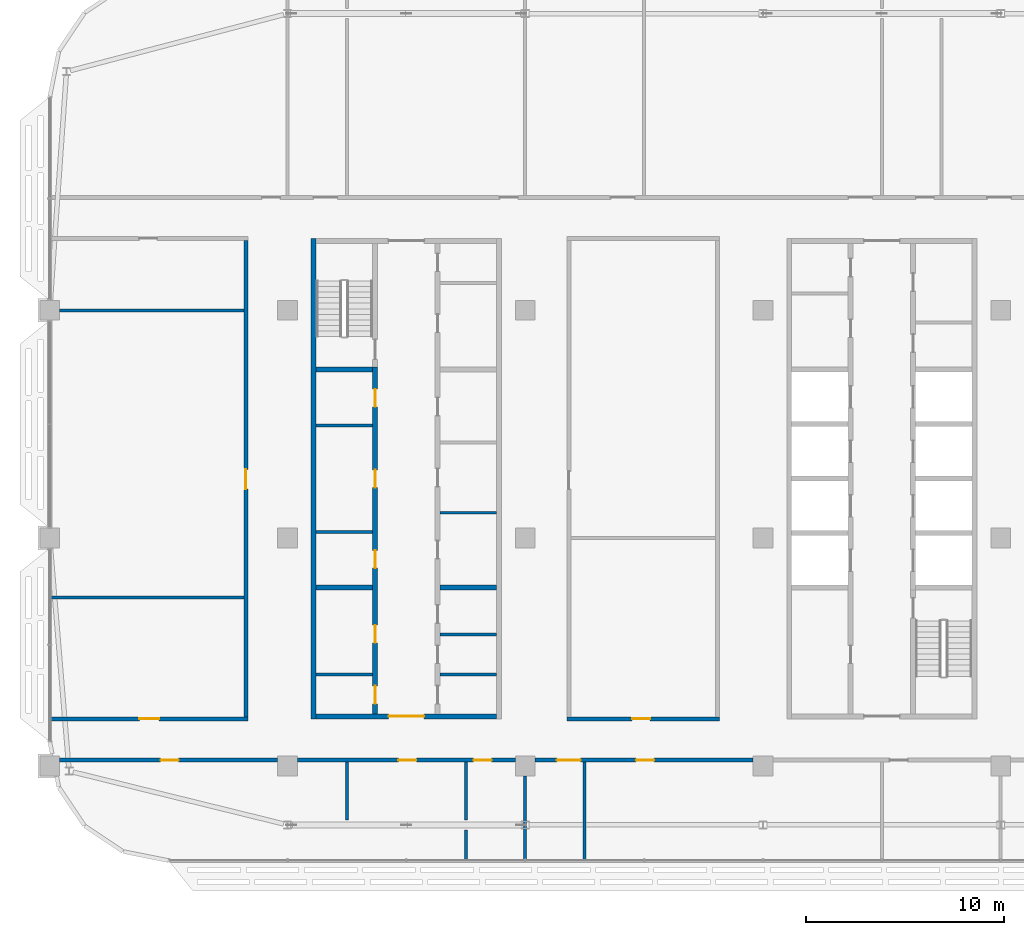
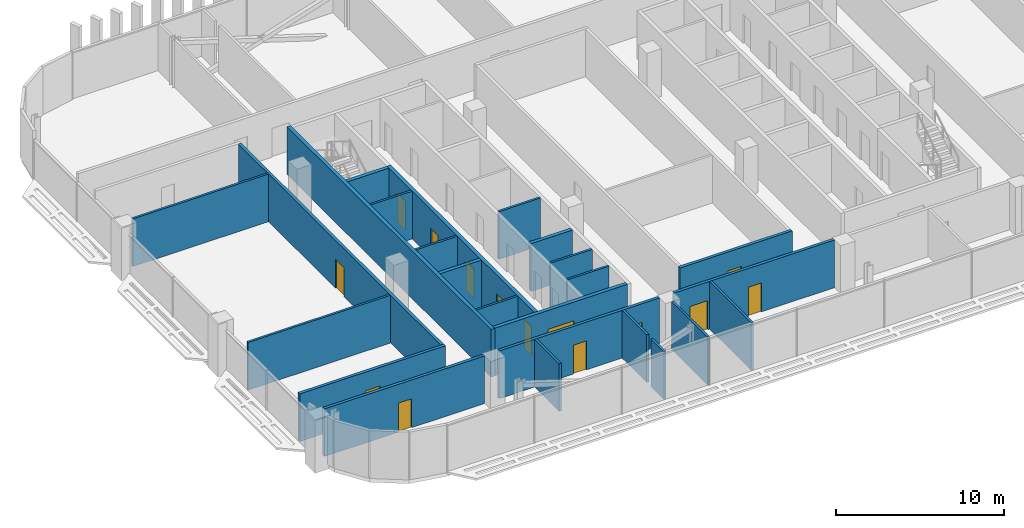
# One storey, part 17 of 32: 25 walls, 14 doors, 14 openings.
"""IFC4 building model written with IfcOpenShell, lengths in metres."""

from ifc_helpers import new_model, si_unit, direction, frame, frame_2d, origin, place, context, subcontext, project, spatial, rectangle, extrude, material, layer, layer_set, type_object, element, fill, save


model = new_model("IFC4")

# Units and contexts
model_context = context("Model", 3, precision=1e-05, world=origin(), true_north=direction((0.0, 1.0)))
body_context = subcontext(model_context, "Body", "Model", "MODEL_VIEW")
ifc_project = project(units=[si_unit("LENGTHUNIT", "METRE"), si_unit("AREAUNIT", "SQUARE_METRE"), si_unit("VOLUMEUNIT", "CUBIC_METRE"), si_unit("PLANEANGLEUNIT", "RADIAN"), si_unit("MASSUNIT", "GRAM", prefix="KILO")], contexts=[model_context])

# Site, building, storey
site_placement = place(None, origin())
site = spatial("IfcSite", under=ifc_project, at=site_placement, CompositionType="ELEMENT")
building_placement = place(site_placement, origin())
building = spatial("IfcBuilding", under=site, at=building_placement, Name="Mahtab Terrace Research Tower", CompositionType="ELEMENT")
storey_placement = place(building_placement, frame((0.0, 0.0, 236.199951171875)))
storey = spatial("IfcBuildingStorey", under=building, at=storey_placement, Name="L57", CompositionType="ELEMENT", Elevation=236.199951171875)

# Walls
ifc_material_1 = material(Name="Gypsum board partition")
ifc_layer_1 = layer(ifc_material_1, 0.14990234375)
ifc_layer_set_1 = layer_set([ifc_layer_1], Name="Core partition 150")
wall_type_1 = type_object("IfcWallType", Name="Core partition 150", PredefinedType="PARTITIONING", material=ifc_layer_set_1)
for number, where, z_axis, x_axis, name in (
    (1, (-28.550048828125, 0.3125, 0.0), (0.0, 0.0, 1.0), (1.0, 0.0, 0.0), "Core wall A pWL-269"),
    (2, (-28.550048828125, 5.6875, 0.0), (0.0, 0.0, 1.0), (1.0, 0.0, 0.0), "Core wall A pWL269"),
    (3, (-22.300048828125, 1.280029296875, 0.0), (0.0, 0.0, 1.0), (1.0, 0.0, 0.0), "Core wall A pEL-172"),
    (4, (-28.550048828125, -6.875, 0.0), (0.0, 0.0, 1.0), (1.0, 0.0, 0.0), "Core wall A pWS-988"),
    (5, (-22.300048828125, -6.875, 0.0), (0.0, 0.0, 1.0), (1.0, 0.0, 0.0), "Core wall A pES-988"),
    (6, (-22.300048828125, -4.875, 0.0), (0.0, 0.0, 1.0), (1.0, 0.0, 0.0), "Core wall A pES-788"),
):
    element("IfcWall", number, at=place(storey_placement, frame(where, z_axis=z_axis, x_axis=x_axis)), inside=storey, type_object=wall_type_1, Name=name, PredefinedType="PARTITIONING", context=body_context, shape_type="SweptSolid", body=[
        extrude(rectangle(XDim=2.85009765625, YDim=0.14990234375, at=frame_2d((1.425048828125, 0.0))), origin(), (0.0, 0.0, 1.0), 3.4599609375),
    ])
ifc_material_2 = material(Name="Concrete C70/85", Category="concrete")
ifc_layer_2 = layer(ifc_material_2, 0.25)
ifc_layer_set_2 = layer_set([ifc_layer_2], Name="Core wall 250")
wall_type_2 = type_object("IfcWallType", Name="Core wall 250", PredefinedType="SOLIDWALL", material=ifc_layer_set_2)
wall_1_placement = place(storey_placement, frame((-28.675048828125, 15.125, 0.0), z_axis=(0.0, 0.0, 1.0), x_axis=(0.0, -1.0, 0.0)))
element("IfcWall", 7, at=wall_1_placement, inside=storey, type_object=wall_type_2, Name="Core wall A outerW", PredefinedType="SOLIDWALL", context=body_context, shape_type="SweptSolid", body=[
    extrude(rectangle(XDim=24.25, YDim=0.25, at=frame_2d((12.125, 0.0))), origin(), (0.0, 0.0, 1.0), 3.4599609375),
])

# Wall, opening, door
wall_2_placement = place(storey_placement, frame((-19.449951171875, -9.0, 0.0), z_axis=(0.0, 0.0, 1.0), x_axis=(-1.0, 0.0, 0.0)))
wall_2 = element("IfcWall", 8, at=wall_2_placement, inside=storey, type_object=wall_type_2, Name="Core wall A endS", PredefinedType="SOLIDWALL", context=body_context, shape_type="SweptSolid", body=[
    extrude(rectangle(XDim=9.10009765625, YDim=0.25, at=frame_2d((4.550048828125, 0.0))), origin(), (0.0, 0.0, 1.0), 3.4599609375),
])
opening_1_placement = place(wall_2_placement, frame((3.64990234375, 0.0, 0.0)))
opening_1 = element("IfcOpeningElement", 9, at=opening_1_placement, cuts=wall_2, Name="Opening A-S1", PredefinedType="OPENING", context=body_context, shape_type="SweptSolid", body=[
    extrude(rectangle(XDim=1.800048828125, YDim=2.10009765625, at=frame_2d((0.89990234375, 1.050048828125))), frame((0.0, 0.135009765625, 0.0), z_axis=(0.0, -1.0, 0.0), x_axis=(1.0, 0.0, 0.0)), (0.0, 0.0, 1.0), 0.27001953125),
])
ifc_material_3 = material(Name="Steel fire door", Category="steel")
door_type_1 = type_object("IfcDoorType", Name="Lobby double door 1800x2100 1 HR", OperationType="DOUBLE_DOOR_SINGLE_SWING", PredefinedType="DOOR", material=ifc_material_3)
door_1_placement = place(opening_1_placement, origin())
door_1 = element("IfcDoor", 10, at=door_1_placement, inside=storey, type_object=door_type_1, Name="Core entrance door A S", OperationType="DOUBLE_DOOR_SINGLE_SWING", OverallHeight=2.10009765625, OverallWidth=1.800048828125, PredefinedType="DOOR", context=body_context, shape_type="SweptSolid", body=[
    extrude(rectangle(XDim=1.800048828125, YDim=2.10009765625, at=frame_2d((0.89990234375, 1.050048828125))), frame((0.0, 0.02490234375, 0.0), z_axis=(0.0, -1.0, 0.0), x_axis=(1.0, 0.0, 0.0)), (0.0, 0.0, 1.0), 0.050048828125),
])
fill(opening_1, door_1)

# Wall, openings, doors
wall_3_placement = place(storey_placement, frame((-25.574951171875, -8.875, 0.0), z_axis=(0.0, 0.0, 1.0), x_axis=(0.0, 1.0, 0.0)))
wall_3 = element("IfcWall", 11, at=wall_3_placement, inside=storey, type_object=wall_type_2, Name="Core wall A innerWSL", PredefinedType="SOLIDWALL", context=body_context, shape_type="SweptSolid", body=[
    extrude(rectangle(XDim=17.5, YDim=0.25, at=frame_2d((8.75, 0.0))), origin(), (0.0, 0.0, 1.0), 3.4599609375),
])
opening_2_placement = place(wall_3_placement, frame((7.356201171875, 0.0, 0.0)))
opening_2 = element("IfcOpeningElement", 12, at=opening_2_placement, cuts=wall_3, Name="Opening A-R1", PredefinedType="OPENING", context=body_context, shape_type="SweptSolid", body=[
    extrude(rectangle(XDim=0.89990234375, YDim=2.10009765625, at=frame_2d((0.449951171875, 1.050048828125))), frame((0.0, 0.135009765625, 0.0), z_axis=(0.0, -1.0, 0.0), x_axis=(1.0, 0.0, 0.0)), (0.0, 0.0, 1.0), 0.27001953125),
])
opening_3_placement = place(wall_3_placement, frame((11.425048828125, 0.0, 0.0)))
opening_3 = element("IfcOpeningElement", 13, at=opening_3_placement, cuts=wall_3, Name="Opening A-R2", PredefinedType="OPENING", context=body_context, shape_type="SweptSolid", body=[
    extrude(rectangle(XDim=0.89990234375, YDim=2.10009765625, at=frame_2d((0.449951171875, 1.050048828125))), frame((0.0, 0.135009765625, 0.0), z_axis=(0.0, -1.0, 0.0), x_axis=(1.0, 0.0, 0.0)), (0.0, 0.0, 1.0), 0.27001953125),
])
opening_4_placement = place(wall_3_placement, frame((15.493896484375, 0.0, 0.0)))
opening_4 = element("IfcOpeningElement", 14, at=opening_4_placement, cuts=wall_3, Name="Opening A-R3", PredefinedType="OPENING", context=body_context, shape_type="SweptSolid", body=[
    extrude(rectangle(XDim=0.89990234375, YDim=2.10009765625, at=frame_2d((0.449951171875, 1.050048828125))), frame((0.0, 0.135009765625, 0.0), z_axis=(0.0, -1.0, 0.0), x_axis=(1.0, 0.0, 0.0)), (0.0, 0.0, 1.0), 0.27001953125),
])
opening_5_placement = place(wall_3_placement, frame((0.512451171875, 0.0, 0.0)))
opening_5 = element("IfcOpeningElement", 15, at=opening_5_placement, cuts=wall_3, Name="Opening A-R7", PredefinedType="OPENING", context=body_context, shape_type="SweptSolid", body=[
    extrude(rectangle(XDim=0.89990234375, YDim=2.10009765625, at=frame_2d((0.449951171875, 1.050048828125))), frame((0.0, 0.135009765625, 0.0), z_axis=(0.0, -1.0, 0.0), x_axis=(1.0, 0.0, 0.0)), (0.0, 0.0, 1.0), 0.27001953125),
])
opening_6_placement = place(wall_3_placement, frame((3.58740234375, 0.0, 0.0)))
opening_6 = element("IfcOpeningElement", 16, at=opening_6_placement, cuts=wall_3, Name="Opening A-R8", PredefinedType="OPENING", context=body_context, shape_type="SweptSolid", body=[
    extrude(rectangle(XDim=0.89990234375, YDim=2.10009765625, at=frame_2d((0.449951171875, 1.050048828125))), frame((0.0, 0.135009765625, 0.0), z_axis=(0.0, -1.0, 0.0), x_axis=(1.0, 0.0, 0.0)), (0.0, 0.0, 1.0), 0.27001953125),
])
door_type_2 = type_object("IfcDoorType", Name="Room door 900x2100 1 HR", OperationType="NOTDEFINED", PredefinedType="DOOR", material=ifc_material_3)
door_2_placement = place(opening_2_placement, origin())
door_2 = element("IfcDoor", 17, at=door_2_placement, inside=storey, type_object=door_type_2, Name="Comms room door", OperationType="SINGLE_SWING_LEFT", OverallHeight=2.10009765625, OverallWidth=0.89990234375, PredefinedType="DOOR", context=body_context, shape_type="SweptSolid", body=[
    extrude(rectangle(XDim=0.89990234375, YDim=2.10009765625, at=frame_2d((0.449951171875, 1.050048828125))), frame((0.0, 0.02490234375, 0.0), z_axis=(0.0, -1.0, 0.0), x_axis=(1.0, 0.0, 0.0)), (0.0, 0.0, 1.0), 0.050048828125),
])
fill(opening_2, door_2)
door_3_placement = place(opening_3_placement, origin())
door_3 = element("IfcDoor", 18, at=door_3_placement, inside=storey, type_object=door_type_2, Name="Meeting alcove door", OperationType="SINGLE_SWING_RIGHT", OverallHeight=2.10009765625, OverallWidth=0.89990234375, PredefinedType="DOOR", context=body_context, shape_type="SweptSolid", body=[
    extrude(rectangle(XDim=0.89990234375, YDim=2.10009765625, at=frame_2d((0.449951171875, 1.050048828125))), frame((0.0, 0.02490234375, 0.0), z_axis=(0.0, -1.0, 0.0), x_axis=(1.0, 0.0, 0.0)), (0.0, 0.0, 1.0), 0.050048828125),
])
fill(opening_3, door_3)
door_4_placement = place(opening_4_placement, origin())
door_4 = element("IfcDoor", 19, at=door_4_placement, inside=storey, type_object=door_type_2, Name="Linen store door", OperationType="SINGLE_SWING_LEFT", OverallHeight=2.10009765625, OverallWidth=0.89990234375, PredefinedType="DOOR", context=body_context, shape_type="SweptSolid", body=[
    extrude(rectangle(XDim=0.89990234375, YDim=2.10009765625, at=frame_2d((0.449951171875, 1.050048828125))), frame((0.0, 0.02490234375, 0.0), z_axis=(0.0, -1.0, 0.0), x_axis=(1.0, 0.0, 0.0)), (0.0, 0.0, 1.0), 0.050048828125),
])
fill(opening_4, door_4)
door_5_placement = place(opening_5_placement, origin())
door_5 = element("IfcDoor", 20, at=door_5_placement, inside=storey, type_object=door_type_2, Name="Accessible WC door", OperationType="SINGLE_SWING_LEFT", OverallHeight=2.10009765625, OverallWidth=0.89990234375, PredefinedType="DOOR", context=body_context, shape_type="SweptSolid", body=[
    extrude(rectangle(XDim=0.89990234375, YDim=2.10009765625, at=frame_2d((0.449951171875, 1.050048828125))), frame((0.0, 0.02490234375, 0.0), z_axis=(0.0, -1.0, 0.0), x_axis=(1.0, 0.0, 0.0)), (0.0, 0.0, 1.0), 0.050048828125),
])
fill(opening_5, door_5)
door_6_placement = place(opening_6_placement, origin())
door_6 = element("IfcDoor", 21, at=door_6_placement, inside=storey, type_object=door_type_2, Name="WC block door", OperationType="SINGLE_SWING_RIGHT", OverallHeight=2.10009765625, OverallWidth=0.89990234375, PredefinedType="DOOR", context=body_context, shape_type="SweptSolid", body=[
    extrude(rectangle(XDim=0.89990234375, YDim=2.10009765625, at=frame_2d((0.449951171875, 1.050048828125))), frame((0.0, 0.02490234375, 0.0), z_axis=(0.0, -1.0, 0.0), x_axis=(1.0, 0.0, 0.0)), (0.0, 0.0, 1.0), 0.050048828125),
])
fill(opening_6, door_6)

# Walls
for number, where, z_axis, x_axis, name in (
    (22, (-28.550048828125, -2.5, 0.0), (0.0, 0.0, 1.0), (1.0, 0.0, 0.0), "Core wall A divW0"),
    (23, (-28.550048828125, 8.5, 0.0), (0.0, 0.0, 1.0), (1.0, 0.0, 0.0), "Core wall A divW4"),
    (24, (-22.300048828125, -2.5, 0.0), (0.0, 0.0, 1.0), (1.0, 0.0, 0.0), "Core wall A divE0"),
):
    element("IfcWall", number, at=place(storey_placement, frame(where, z_axis=z_axis, x_axis=x_axis)), inside=storey, type_object=wall_type_2, Name=name, PredefinedType="SOLIDWALL", context=body_context, shape_type="SweptSolid", body=[
        extrude(rectangle(XDim=2.85009765625, YDim=0.25, at=frame_2d((1.425048828125, 0.0))), origin(), (0.0, 0.0, 1.0), 3.4599609375),
    ])

# Wall, opening, door
ifc_material_4 = material(Name="Gypsum board corridor wall on steel studs", Category="steel")
ifc_layer_3 = layer(ifc_material_4, 0.199951171875)
ifc_layer_set_3 = layer_set([ifc_layer_3], Name="WALL CORRIDOR 200")
wall_type_3 = type_object("IfcWallType", Name="WALL CORRIDOR 200", PredefinedType="PARTITIONING", material=ifc_layer_set_3)
wall_4_placement = place(storey_placement, frame((-41.5, -11.199951171875, 0.0), z_axis=(0.0, 0.0, 1.0), x_axis=(1.0, 0.0, 0.0)))
wall_4 = element("IfcWall", 25, at=wall_4_placement, inside=storey, type_object=wall_type_3, Name="L57-W001", PredefinedType="PARTITIONING", context=body_context, shape_type="SweptSolid", body=[
    extrude(rectangle(XDim=11.0, YDim=0.199951171875, at=frame_2d((5.5, 0.0))), origin(), (0.0, 0.0, 1.0), 3.4599609375),
])
opening_7_placement = place(wall_4_placement, frame((5.10009765625, 0.0, 0.0)))
opening_7 = element("IfcOpeningElement", 26, at=opening_7_placement, cuts=wall_4, Name="Opening L57-101", PredefinedType="OPENING", context=body_context, shape_type="SweptSolid", body=[
    extrude(rectangle(XDim=0.89990234375, YDim=2.10009765625, at=frame_2d((0.449951171875, 1.050048828125))), frame((0.0, 0.10986328125, 0.0), z_axis=(0.0, -1.0, 0.0), x_axis=(1.0, 0.0, 0.0)), (0.0, 0.0, 1.0), 0.219970703125),
])
ifc_material_5 = material(Name="Timber door leaf in steel frame", Category="steel")
door_type_3 = type_object("IfcDoorType", Name="DOOR 0900X2100 FD30S", OperationType="SINGLE_SWING_LEFT", PredefinedType="DOOR", material=ifc_material_5)
door_7_placement = place(opening_7_placement, origin())
door_7 = element("IfcDoor", 27, at=door_7_placement, inside=storey, type_object=door_type_3, Name="Door L57-101", OperationType="SINGLE_SWING_LEFT", OverallHeight=2.10009765625, OverallWidth=0.89990234375, PredefinedType="DOOR", context=body_context, shape_type="SweptSolid", body=[
    extrude(rectangle(XDim=0.89990234375, YDim=2.10009765625, at=frame_2d((0.449951171875, 1.050048828125))), frame((0.0, 0.02490234375, 0.0), z_axis=(0.0, -1.0, 0.0), x_axis=(1.0, 0.0, 0.0)), (0.0, 0.0, 1.0), 0.050048828125),
])
fill(opening_7, door_7)

# Wall, openings, doors
wall_5_placement = place(storey_placement, frame((-29.5, -11.199951171875, 0.0), z_axis=(0.0, 0.0, 1.0), x_axis=(1.0, 0.0, 0.0)))
wall_5 = element("IfcWall", 28, at=wall_5_placement, inside=storey, type_object=wall_type_3, Name="L57-W002", PredefinedType="PARTITIONING", context=body_context, shape_type="SweptSolid", body=[
    extrude(rectangle(XDim=11.0, YDim=0.199951171875, at=frame_2d((5.5, 0.0))), origin(), (0.0, 0.0, 1.0), 3.4599609375),
])
opening_8_placement = place(wall_5_placement, frame((5.10009765625, 0.0, 0.0)))
opening_8 = element("IfcOpeningElement", 29, at=opening_8_placement, cuts=wall_5, Name="Opening L57-102", PredefinedType="OPENING", context=body_context, shape_type="SweptSolid", body=[
    extrude(rectangle(XDim=0.89990234375, YDim=2.10009765625, at=frame_2d((0.449951171875, 1.050048828125))), frame((0.0, 0.10986328125, 0.0), z_axis=(0.0, -1.0, 0.0), x_axis=(1.0, 0.0, 0.0)), (0.0, 0.0, 1.0), 0.219970703125),
])
opening_9_placement = place(wall_5_placement, frame((8.89990234375, 0.0, 0.0)))
opening_9 = element("IfcOpeningElement", 30, at=opening_9_placement, cuts=wall_5, Name="Opening L57-103", PredefinedType="OPENING", context=body_context, shape_type="SweptSolid", body=[
    extrude(rectangle(XDim=0.89990234375, YDim=2.10009765625, at=frame_2d((0.449951171875, 1.050048828125))), frame((0.0, 0.10986328125, 0.0), z_axis=(0.0, -1.0, 0.0), x_axis=(1.0, 0.0, 0.0)), (0.0, 0.0, 1.0), 0.219970703125),
])
door_8_placement = place(opening_8_placement, origin())
door_8 = element("IfcDoor", 31, at=door_8_placement, inside=storey, type_object=door_type_3, Name="Door L57-102", OperationType="SINGLE_SWING_LEFT", OverallHeight=2.10009765625, OverallWidth=0.89990234375, PredefinedType="DOOR", context=body_context, shape_type="SweptSolid", body=[
    extrude(rectangle(XDim=0.89990234375, YDim=2.10009765625, at=frame_2d((0.449951171875, 1.050048828125))), frame((0.0, 0.02490234375, 0.0), z_axis=(0.0, -1.0, 0.0), x_axis=(1.0, 0.0, 0.0)), (0.0, 0.0, 1.0), 0.050048828125),
])
fill(opening_8, door_8)
door_9_placement = place(opening_9_placement, origin())
door_9 = element("IfcDoor", 32, at=door_9_placement, inside=storey, type_object=door_type_3, Name="Door L57-103", OperationType="SINGLE_SWING_LEFT", OverallHeight=2.10009765625, OverallWidth=0.89990234375, PredefinedType="DOOR", context=body_context, shape_type="SweptSolid", body=[
    extrude(rectangle(XDim=0.89990234375, YDim=2.10009765625, at=frame_2d((0.449951171875, 1.050048828125))), frame((0.0, 0.02490234375, 0.0), z_axis=(0.0, -1.0, 0.0), x_axis=(1.0, 0.0, 0.0)), (0.0, 0.0, 1.0), 0.050048828125),
])
fill(opening_9, door_9)

wall_6_placement = place(storey_placement, frame((-17.5, -11.199951171875, 0.0), z_axis=(0.0, 0.0, 1.0), x_axis=(1.0, 0.0, 0.0)))
wall_6 = element("IfcWall", 33, at=wall_6_placement, inside=storey, type_object=wall_type_3, Name="L57-W003", PredefinedType="PARTITIONING", context=body_context, shape_type="SweptSolid", body=[
    extrude(rectangle(XDim=11.0, YDim=0.199951171875, at=frame_2d((5.5, 0.0))), origin(), (0.0, 0.0, 1.0), 3.4599609375),
])
opening_10_placement = place(wall_6_placement, frame((1.10009765625, 0.0, 0.0)))
opening_10 = element("IfcOpeningElement", 34, at=opening_10_placement, cuts=wall_6, Name="Opening L57-104", PredefinedType="OPENING", context=body_context, shape_type="SweptSolid", body=[
    extrude(rectangle(XDim=1.199951171875, YDim=2.10009765625, at=frame_2d((0.60009765625, 1.050048828125))), frame((0.0, 0.10986328125, 0.0), z_axis=(0.0, -1.0, 0.0), x_axis=(1.0, 0.0, 0.0)), (0.0, 0.0, 1.0), 0.219970703125),
])
opening_11_placement = place(wall_6_placement, frame((5.10009765625, 0.0, 0.0)))
opening_11 = element("IfcOpeningElement", 35, at=opening_11_placement, cuts=wall_6, Name="Opening L57-105", PredefinedType="OPENING", context=body_context, shape_type="SweptSolid", body=[
    extrude(rectangle(XDim=0.89990234375, YDim=2.10009765625, at=frame_2d((0.449951171875, 1.050048828125))), frame((0.0, 0.10986328125, 0.0), z_axis=(0.0, -1.0, 0.0), x_axis=(1.0, 0.0, 0.0)), (0.0, 0.0, 1.0), 0.219970703125),
])
door_10_placement = place(opening_11_placement, origin())
door_10 = element("IfcDoor", 36, at=door_10_placement, inside=storey, type_object=door_type_3, Name="Door L57-105", OperationType="SINGLE_SWING_LEFT", OverallHeight=2.10009765625, OverallWidth=0.89990234375, PredefinedType="DOOR", context=body_context, shape_type="SweptSolid", body=[
    extrude(rectangle(XDim=0.89990234375, YDim=2.10009765625, at=frame_2d((0.449951171875, 1.050048828125))), frame((0.0, 0.02490234375, 0.0), z_axis=(0.0, -1.0, 0.0), x_axis=(1.0, 0.0, 0.0)), (0.0, 0.0, 1.0), 0.050048828125),
])
fill(opening_11, door_10)
door_type_4 = type_object("IfcDoorType", Name="DOOR 1200X2100 FD30S", OperationType="SINGLE_SWING_LEFT", PredefinedType="DOOR", material=ifc_material_5)
door_11_placement = place(opening_10_placement, origin())
door_11 = element("IfcDoor", 37, at=door_11_placement, inside=storey, type_object=door_type_4, Name="Door L57-104", OperationType="SINGLE_SWING_RIGHT", OverallHeight=2.10009765625, OverallWidth=1.199951171875, PredefinedType="DOOR", context=body_context, shape_type="SweptSolid", body=[
    extrude(rectangle(XDim=1.199951171875, YDim=2.10009765625, at=frame_2d((0.60009765625, 1.050048828125))), frame((0.0, 0.02490234375, 0.0), z_axis=(0.0, -1.0, 0.0), x_axis=(1.0, 0.0, 0.0)), (0.0, 0.0, 1.0), 0.050048828125),
])
fill(opening_10, door_11)

# Wall, opening, door
wall_7_placement = place(storey_placement, frame((-41.97509765625, -9.125, 0.0), z_axis=(0.0, 0.0, 1.0), x_axis=(1.0, 0.0, 0.0)))
wall_7 = element("IfcWall", 38, at=wall_7_placement, inside=storey, type_object=wall_type_3, Name="L57-W010", PredefinedType="PARTITIONING", context=body_context, shape_type="SweptSolid", body=[
    extrude(rectangle(XDim=9.97509765625, YDim=0.199951171875, at=frame_2d((4.987548828125, 0.0))), origin(), (0.0, 0.0, 1.0), 3.4599609375),
])
opening_12_placement = place(wall_7_placement, frame((4.5, 0.0, 0.0)))
opening_12 = element("IfcOpeningElement", 39, at=opening_12_placement, cuts=wall_7, Name="Opening L57-112", PredefinedType="OPENING", context=body_context, shape_type="SweptSolid", body=[
    extrude(rectangle(XDim=1.0, YDim=2.10009765625, at=frame_2d((0.5, 1.050048828125))), frame((0.0, 0.10986328125, 0.0), z_axis=(0.0, -1.0, 0.0), x_axis=(1.0, 0.0, 0.0)), (0.0, 0.0, 1.0), 0.219970703125),
])
door_type_5 = type_object("IfcDoorType", Name="DOOR 1000X2100 FD30S", OperationType="SINGLE_SWING_LEFT", PredefinedType="DOOR", material=ifc_material_5)
door_12_placement = place(opening_12_placement, origin())
door_12 = element("IfcDoor", 40, at=door_12_placement, inside=storey, type_object=door_type_5, Name="Door L57-112", OperationType="SINGLE_SWING_RIGHT", OverallHeight=2.10009765625, OverallWidth=1.0, PredefinedType="DOOR", context=body_context, shape_type="SweptSolid", body=[
    extrude(rectangle(XDim=1.0, YDim=2.10009765625, at=frame_2d((0.5, 1.050048828125))), frame((0.0, 0.02490234375, 0.0), z_axis=(0.0, -1.0, 0.0), x_axis=(1.0, 0.0, 0.0)), (0.0, 0.0, 1.0), 0.050048828125),
])
fill(opening_12, door_12)

wall_8_placement = place(storey_placement, frame((-15.89990234375, -9.125, 0.0), z_axis=(0.0, 0.0, 1.0), x_axis=(1.0, 0.0, 0.0)))
wall_8 = element("IfcWall", 41, at=wall_8_placement, inside=storey, type_object=wall_type_3, Name="L57-W011", PredefinedType="PARTITIONING", context=body_context, shape_type="SweptSolid", body=[
    extrude(rectangle(XDim=7.699951171875, YDim=0.199951171875, at=frame_2d((3.85009765625, 0.0))), origin(), (0.0, 0.0, 1.0), 3.4599609375),
])
opening_13_placement = place(wall_8_placement, frame((3.300048828125, 0.0, 0.0)))
opening_13 = element("IfcOpeningElement", 42, at=opening_13_placement, cuts=wall_8, Name="Opening L57-114", PredefinedType="OPENING", context=body_context, shape_type="SweptSolid", body=[
    extrude(rectangle(XDim=0.89990234375, YDim=2.10009765625, at=frame_2d((0.449951171875, 1.050048828125))), frame((0.0, 0.10986328125, 0.0), z_axis=(0.0, -1.0, 0.0), x_axis=(1.0, 0.0, 0.0)), (0.0, 0.0, 1.0), 0.219970703125),
])
door_13_placement = place(opening_13_placement, origin())
door_13 = element("IfcDoor", 43, at=door_13_placement, inside=storey, type_object=door_type_3, Name="Door L57-114", OperationType="SINGLE_SWING_LEFT", OverallHeight=2.10009765625, OverallWidth=0.89990234375, PredefinedType="DOOR", context=body_context, shape_type="SweptSolid", body=[
    extrude(rectangle(XDim=0.89990234375, YDim=2.10009765625, at=frame_2d((0.449951171875, 1.050048828125))), frame((0.0, 0.02490234375, 0.0), z_axis=(0.0, -1.0, 0.0), x_axis=(1.0, 0.0, 0.0)), (0.0, 0.0, 1.0), 0.050048828125),
])
fill(opening_13, door_13)

wall_9_placement = place(storey_placement, frame((-32.10009765625, -9.02490234375, 0.0), z_axis=(0.0, 0.0, 1.0), x_axis=(0.0, 1.0, 0.0)))
wall_9 = element("IfcWall", 44, at=wall_9_placement, inside=storey, type_object=wall_type_3, Name="L57-W026", PredefinedType="PARTITIONING", context=body_context, shape_type="SweptSolid", body=[
    extrude(rectangle(XDim=24.0498046875, YDim=0.199951171875, at=frame_2d((12.02490234375, 0.0))), origin(), (0.0, 0.0, 1.0), 3.4599609375),
])
opening_14_placement = place(wall_9_placement, frame((11.5, 0.0, 0.0)))
opening_14 = element("IfcOpeningElement", 45, at=opening_14_placement, cuts=wall_9, Name="Opening L57-116", PredefinedType="OPENING", context=body_context, shape_type="SweptSolid", body=[
    extrude(rectangle(XDim=1.0, YDim=2.10009765625, at=frame_2d((0.5, 1.050048828125))), frame((0.0, 0.10986328125, 0.0), z_axis=(0.0, -1.0, 0.0), x_axis=(1.0, 0.0, 0.0)), (0.0, 0.0, 1.0), 0.219970703125),
])
door_14_placement = place(opening_14_placement, origin())
door_14 = element("IfcDoor", 46, at=door_14_placement, inside=storey, type_object=door_type_5, Name="Door L57-116", OperationType="SINGLE_SWING_LEFT", OverallHeight=2.10009765625, OverallWidth=1.0, PredefinedType="DOOR", context=body_context, shape_type="SweptSolid", body=[
    extrude(rectangle(XDim=1.0, YDim=2.10009765625, at=frame_2d((0.5, 1.050048828125))), frame((0.0, 0.02490234375, 0.0), z_axis=(0.0, -1.0, 0.0), x_axis=(1.0, 0.0, 0.0)), (0.0, 0.0, 1.0), 0.050048828125),
])
fill(opening_14, door_14)

# Walls
ifc_material_6 = material(Name="Gypsum board partition on steel studs", Category="steel")
ifc_layer_4 = layer(ifc_material_6, 0.14990234375)
ifc_layer_set_4 = layer_set([ifc_layer_4], Name="WALL PARTITION 150")
wall_type_4 = type_object("IfcWallType", Name="WALL PARTITION 150", PredefinedType="PARTITIONING", material=ifc_layer_set_4)
wall_10_placement = place(storey_placement, frame((-41.97509765625, -3.0, 0.0), z_axis=(0.0, 0.0, 1.0), x_axis=(1.0, 0.0, 0.0)))
element("IfcWall", 47, at=wall_10_placement, inside=storey, type_object=wall_type_4, Name="L57-W014", PredefinedType="PARTITIONING", context=body_context, shape_type="SweptSolid", body=[
    extrude(rectangle(XDim=9.775146484375, YDim=0.14990234375, at=frame_2d((4.8876953125, 0.0))), origin(), (0.0, 0.0, 1.0), 3.4599609375),
])
wall_11_placement = place(storey_placement, frame((-41.5, 11.5, 0.0), z_axis=(0.0, 0.0, 1.0), x_axis=(1.0, 0.0, 0.0)))
element("IfcWall", 48, at=wall_11_placement, inside=storey, type_object=wall_type_4, Name="L57-W019", PredefinedType="PARTITIONING", context=body_context, shape_type="SweptSolid", body=[
    extrude(rectangle(XDim=9.300048828125, YDim=0.14990234375, at=frame_2d((4.64990234375, 0.0))), origin(), (0.0, 0.0, 1.0), 3.4599609375),
])
wall_12_placement = place(storey_placement, frame((-27.0, -14.220703125, 0.0), z_axis=(0.0, 0.0, 1.0), x_axis=(0.0, 1.0, 0.0)))
element("IfcWall", 49, at=wall_12_placement, inside=storey, type_object=wall_type_4, Name="L57-W028", PredefinedType="PARTITIONING", context=body_context, shape_type="SweptSolid", body=[
    extrude(rectangle(XDim=2.920654296875, YDim=0.14990234375, at=frame_2d((1.46044921875, 0.0))), origin(), (0.0, 0.0, 1.0), 3.4599609375),
])
wall_13_placement = place(storey_placement, frame((-21.0, -16.2529296875, 0.0), z_axis=(0.0, 0.0, 1.0), x_axis=(0.0, 1.0, 0.0)))
element("IfcWall", 50, at=wall_13_placement, inside=storey, type_object=wall_type_4, Name="L57-W031", PredefinedType="PARTITIONING", context=body_context, shape_type="SweptSolid", body=[
    extrude(rectangle(XDim=1.527587890625, YDim=0.14990234375, at=frame_2d((0.763671875, 0.0))), origin(), (0.0, 0.0, 1.0), 3.4599609375),
])
wall_14_placement = place(storey_placement, frame((-21.0, -14.220703125, 0.0), z_axis=(0.0, 0.0, 1.0), x_axis=(0.0, 1.0, 0.0)))
element("IfcWall", 51, at=wall_14_placement, inside=storey, type_object=wall_type_4, Name="L57-W032", PredefinedType="PARTITIONING", context=body_context, shape_type="SweptSolid", body=[
    extrude(rectangle(XDim=2.920654296875, YDim=0.14990234375, at=frame_2d((1.46044921875, 0.0))), origin(), (0.0, 0.0, 1.0), 3.4599609375),
])
wall_15_placement = place(storey_placement, frame((-18.0, -16.2529296875, 0.0), z_axis=(0.0, 0.0, 1.0), x_axis=(0.0, 1.0, 0.0)))
element("IfcWall", 52, at=wall_15_placement, inside=storey, type_object=wall_type_4, Name="L57-W033", PredefinedType="PARTITIONING", context=body_context, shape_type="SweptSolid", body=[
    extrude(rectangle(XDim=4.2529296875, YDim=0.14990234375, at=frame_2d((2.12646484375, 0.0))), origin(), (0.0, 0.0, 1.0), 3.4599609375),
])
wall_16_placement = place(storey_placement, frame((-15.0, -16.2529296875, 0.0), z_axis=(0.0, 0.0, 1.0), x_axis=(0.0, 1.0, 0.0)))
element("IfcWall", 53, at=wall_16_placement, inside=storey, type_object=wall_type_4, Name="L57-W036", PredefinedType="PARTITIONING", context=body_context, shape_type="SweptSolid", body=[
    extrude(rectangle(XDim=4.952880859375, YDim=0.14990234375, at=frame_2d((2.4765625, 0.0))), origin(), (0.0, 0.0, 1.0), 3.4599609375),
])

save(model, "model.ifc")
